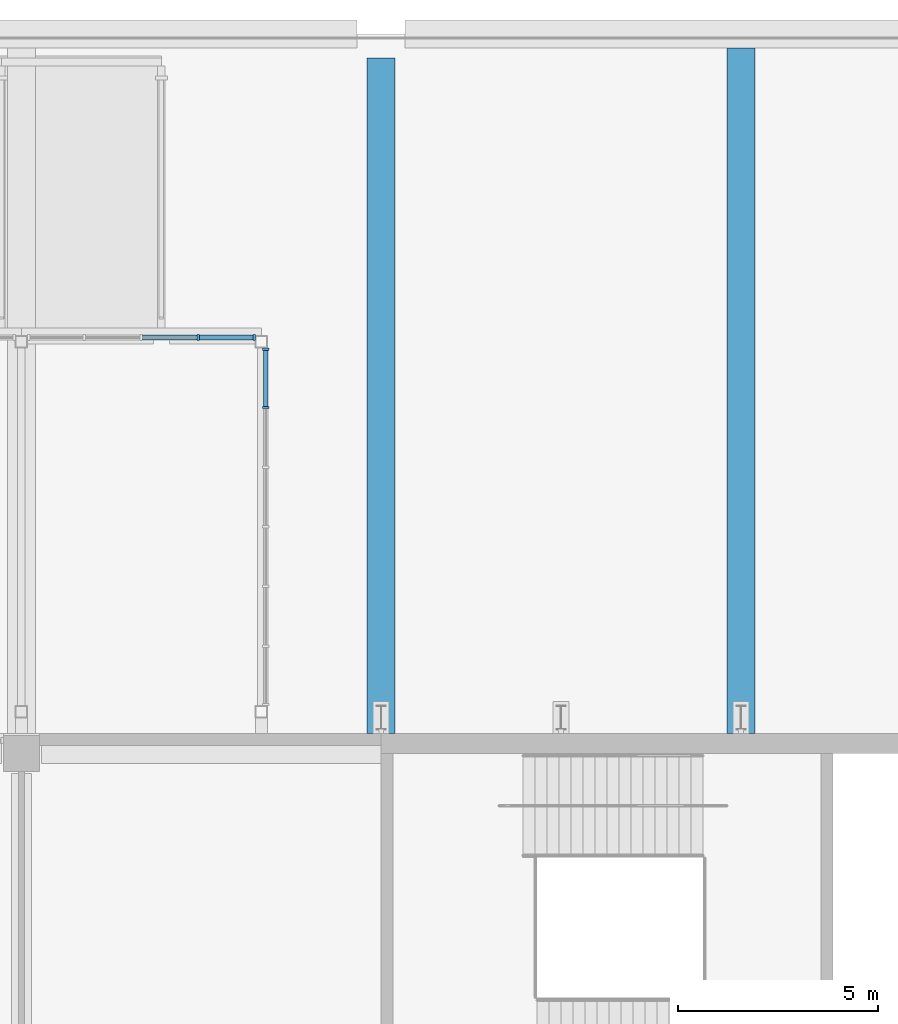
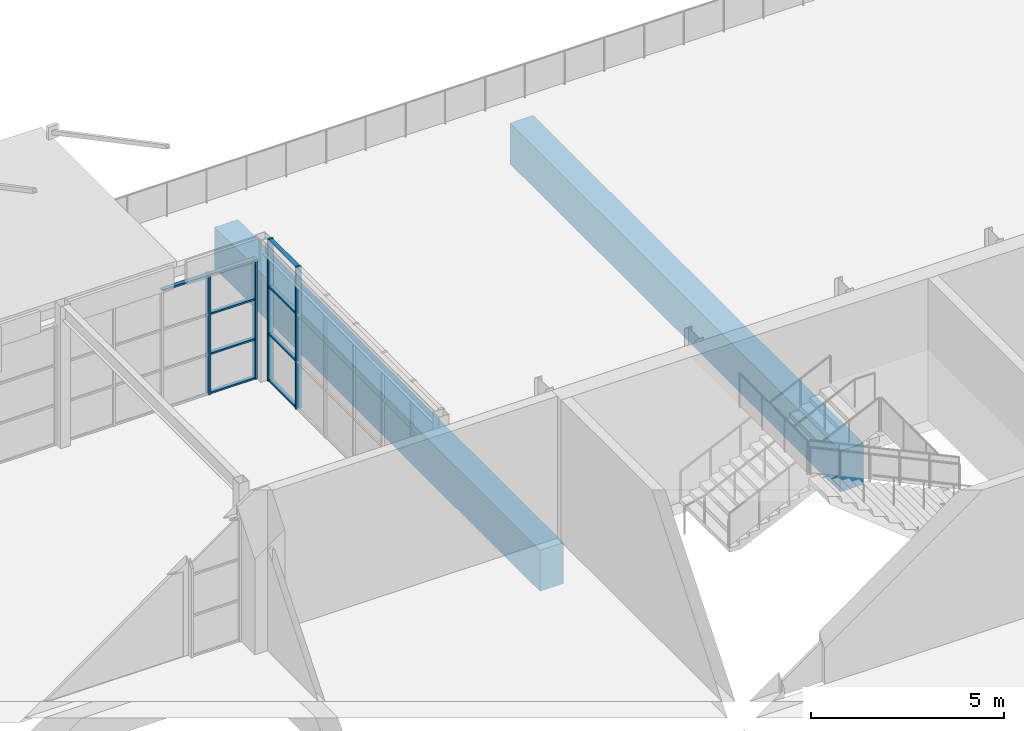
# One storey, part 62 of 168: 13 members, 2 beams, 2 elements without a shape of their own.
"""IFC4 building model written with IfcOpenShell, lengths in metres."""

import ifcopenshell
import ifcopenshell.guid

model = None  # the IFC model being written
_history = None  # IfcOwnerHistory: only IFC2X3 demands one
_inside = {}  # id of a spatial element -> (the spatial element, [elements in it])
_under = {}  # id of a project, library or spatial element -> (it, [spatial elements below it])
_declared = {}  # id of a project -> (the project, [libraries it declares])
_typed = {}  # id of a type object -> (the type object, [elements of that type])
_made_of = {}  # id of a material, layer set ... -> (it, [elements and type objects made of it])


def new_model(schema):
    """Start an empty IFC model of exactly this schema.

    Asked for "IFC4X3", IfcOpenShell would pick the latest addendum, in which some entities
    have other attributes; the version numbers below select the first issue.
    IFC2X3 requires an IfcOwnerHistory on every rooted entity: one is made here for all.
    """
    global model, _history
    if schema == "IFC4X3":
        model = ifcopenshell.file(schema_version=(4, 3, 0, 0))
    else:
        model = ifcopenshell.file(schema=schema)
    _inside.clear()
    _under.clear()
    _declared.clear()
    _typed.clear()
    _made_of.clear()
    _history = None
    if model.schema == "IFC2X3":
        org = make("IfcOrganization", Name="unknown")
        user = make(
            "IfcPersonAndOrganization",
            ThePerson=make("IfcPerson", FamilyName="unknown"),
            TheOrganization=org,
        )
        app = make(
            "IfcApplication",
            ApplicationDeveloper=org,
            Version="unknown",
            ApplicationFullName="unknown",
            ApplicationIdentifier="unknown",
        )
        _history = make(
            "IfcOwnerHistory",
            OwningUser=user,
            OwningApplication=app,
            ChangeAction="ADDED",
            CreationDate=0,
        )
    return model


def make(cls, **values):
    """One entity of the class cls with the attributes given. An attribute that is None is left unset."""
    return model.create_entity(
        cls, **{name: value for name, value in values.items() if value is not None}
    )


def rooted(cls, **values):
    """An entity with a GlobalId (a new one), such as an element, a storey or a relation."""
    return make(cls, GlobalId=ifcopenshell.guid.new(), OwnerHistory=_history, **values)


def si_unit(unit_type, name, prefix=None):
    """IfcSIUnit, for example si_unit("LENGTHUNIT", "METRE", prefix="MILLI")."""
    return make("IfcSIUnit", UnitType=unit_type, Prefix=prefix, Name=name)


def assignment(units):
    """IfcUnitAssignment: the units of a project."""
    return None if units is None else make("IfcUnitAssignment", Units=units)


def point(xyz):
    """IfcCartesianPoint."""
    return None if xyz is None else make("IfcCartesianPoint", Coordinates=xyz)


def direction(xyz):
    """IfcDirection."""
    return None if xyz is None else make("IfcDirection", DirectionRatios=xyz)


def frame(location, z_axis=None, x_axis=None):
    """IfcAxis2Placement3D, a coordinate frame: its origin and axes. An axis left out is left unset."""
    return make(
        "IfcAxis2Placement3D",
        Location=point(location),
        Axis=direction(z_axis),
        RefDirection=direction(x_axis),
    )


def frame_2d(location, x_axis=None):
    """IfcAxis2Placement2D, a coordinate frame in the plane: its origin and x axis."""
    return make(
        "IfcAxis2Placement2D", Location=point(location), RefDirection=direction(x_axis)
    )


def origin():
    """The frame at (0, 0, 0) with its axes left unset."""
    return frame((0.0, 0.0, 0.0))


def origin_2d():
    """The frame at (0, 0) in the plane with its x axis left unset."""
    return frame_2d((0.0, 0.0))


def place(relative_to, where):
    """IfcLocalPlacement: puts the frame where relative to a parent placement (None: the world)."""
    return make(
        "IfcLocalPlacement", PlacementRelTo=relative_to, RelativePlacement=where
    )


def context(
    kind, dimensions, precision=None, world=None, true_north=None, identifier=None
):
    """IfcGeometricRepresentationContext, for example the 3D "Model" context."""
    return make(
        "IfcGeometricRepresentationContext",
        ContextIdentifier=identifier,
        ContextType=kind,
        CoordinateSpaceDimension=dimensions,
        Precision=precision,
        WorldCoordinateSystem=world,
        TrueNorth=true_north,
    )


def subcontext(parent, identifier, kind, view, scale=None):
    """IfcGeometricRepresentationSubContext, for example "Body" below "Model"."""
    return make(
        "IfcGeometricRepresentationSubContext",
        ContextIdentifier=identifier,
        ContextType=kind,
        ParentContext=parent,
        TargetScale=scale,
        TargetView=view,
    )


def project(units=None, contexts=None):
    """IfcProject with its units and contexts."""
    return rooted(
        "IfcProject",
        Name="project",
        RepresentationContexts=contexts,
        UnitsInContext=assignment(units),
    )


def spatial(cls, under=None, at=None, **own):
    """A site, building, storey or space (cls), placed at a placement, below another one or the project."""
    s = rooted(cls, ObjectPlacement=at, **own)
    if under is not None:
        _under.setdefault(under.id(), (under, []))[1].append(s)
    return s


def profile(cls, at=None, kind="AREA", **sizes):
    """A parametric profile (cls). Its sizes go by their IFC names, for example OverallWidth=200.0."""
    return make(cls, ProfileType=kind, Position=at, **sizes)


def rectangle(**sizes):
    """IfcRectangleProfileDef."""
    return profile("IfcRectangleProfileDef", **sizes)


def extrude(swept, where, along, depth):
    """IfcExtrudedAreaSolid: the profile swept, set in the frame where, extruded along a direction by depth."""
    return make(
        "IfcExtrudedAreaSolid",
        SweptArea=swept,
        Position=where,
        ExtrudedDirection=direction(along),
        Depth=depth,
    )


def shape(context_of_items, identifier, shape_type, items):
    """IfcShapeRepresentation: the items that make up one representation, for example the "Body"."""
    return make(
        "IfcShapeRepresentation",
        ContextOfItems=context_of_items,
        RepresentationIdentifier=identifier,
        RepresentationType=shape_type,
        Items=items,
    )


def material(Name=None, Category=None):
    """IfcMaterial."""
    return make("IfcMaterial", Name=Name, Category=Category)


def material_profile(
    of_material, cross_section, Name=None, Category=None, Priority=None
):
    """IfcMaterialProfile: a cross section and its material."""
    return make(
        "IfcMaterialProfile",
        Name=Name,
        Material=of_material,
        Profile=cross_section,
        Priority=Priority,
        Category=Category,
    )


def profile_set(profiles, Name=None, composite=None):
    """IfcMaterialProfileSet."""
    return make(
        "IfcMaterialProfileSet",
        Name=Name,
        MaterialProfiles=profiles,
        CompositeProfile=composite,
    )


def made_of(thing, what):
    """Note that an element or type object is made of a material, layer set ...; save() writes the relation."""
    if what is not None:
        _made_of.setdefault(what.id(), (what, []))[1].append(thing)
    return thing


def type_object(cls, material=None, **own):
    """A type object (cls), such as IfcWallType, which elements share."""
    return made_of(rooted(cls, **own), material)


def element(
    cls,
    number,
    at=None,
    inside=None,
    cuts=None,
    type_object=None,
    material=None,
    context=None,
    identifier="Body",
    shape_type=None,
    held_by="IfcProductDefinitionShape",
    body=None,
    shapes=None,
    **own,
):
    """One element of the class cls, such as IfcWall. Its Tag is "e" and its number.

    at: its placement. inside: the storey or other place that contains it. cuts: it is an
    opening in that element (IfcRelVoidsElement). A single representation is given by context,
    identifier, shape_type and body (its items); several are given by shapes. held_by: the class
    of the entity that holds the representations. save() writes the other relations.
    """
    e = rooted(cls, Tag="e%d" % number, ObjectPlacement=at, **own)
    if body is not None:
        shapes = [shape(context, identifier, shape_type, body)]
    if shapes is not None:
        e.Representation = make(held_by, Representations=shapes)
    if inside is not None:
        _inside.setdefault(inside.id(), (inside, []))[1].append(e)
    if cuts is not None:
        rooted(
            "IfcRelVoidsElement", RelatingBuildingElement=cuts, RelatedOpeningElement=e
        )
    if type_object is not None:
        _typed.setdefault(type_object.id(), (type_object, []))[1].append(e)
    return made_of(e, material)


def aggregate(whole, parts):
    """IfcRelAggregates: a whole, such as a stair, and the parts it consists of."""
    return rooted("IfcRelAggregates", RelatingObject=whole, RelatedObjects=parts)


def save(model, path):
    """Write the relations noted so far, then the file.

    IfcRelAggregates (storeys below a building ...), IfcRelContainedInSpatialStructure (elements
    in a storey), IfcRelDefinesByType, IfcRelAssociatesMaterial and IfcRelDeclares: one each for
    every whole, place, type object, material and project.
    """
    for whole, parts in _under.values():
        aggregate(whole, parts)
    for where, things in _inside.values():
        rooted(
            "IfcRelContainedInSpatialStructure",
            RelatedElements=things,
            RelatingStructure=where,
        )
    for kind, things in _typed.values():
        rooted("IfcRelDefinesByType", RelatedObjects=things, RelatingType=kind)
    for what, things in _made_of.values():
        rooted("IfcRelAssociatesMaterial", RelatedObjects=things, RelatingMaterial=what)
    for by, libraries in _declared.values():
        rooted("IfcRelDeclares", RelatingContext=by, RelatedDefinitions=libraries)
    model.write(path)


model = new_model("IFC4")

# Units and contexts
model_context = context("Model", 3, precision=1e-05, world=origin(), true_north=direction((0.0, 1.0)))
body_context = subcontext(model_context, "Body", "Model", "MODEL_VIEW")
ifc_project = project(units=[si_unit("LENGTHUNIT", "METRE"), si_unit("AREAUNIT", "SQUARE_METRE"), si_unit("VOLUMEUNIT", "CUBIC_METRE"), si_unit("PLANEANGLEUNIT", "RADIAN"), si_unit("MASSUNIT", "GRAM", prefix="KILO")], contexts=[model_context])

# Site, building, storey
site_placement = place(None, origin())
site = spatial("IfcSite", under=ifc_project, at=site_placement, CompositionType="ELEMENT")
building_placement = place(site_placement, origin())
building = spatial("IfcBuilding", under=site, at=building_placement, Name="Silverbay Arena", CompositionType="ELEMENT")
storey_placement = place(building_placement, frame((0.0, 0.0, 7.0)))
storey = spatial("IfcBuildingStorey", under=building, at=storey_placement, Name="L01", CompositionType="ELEMENT", Elevation=7.0)

# Curtain wall, members
ifc_material_1 = material(Name="Aluminium framed curtain wall", Category="aluminium")
curtain_wall_type_1 = type_object("IfcCurtainWallType", Name="Curtain wall 5700 x 3800", PredefinedType="NOTDEFINED", material=ifc_material_1)
curtain_wall_1_placement = place(storey_placement, origin())
curtain_wall_1 = element("IfcCurtainWall", 1, at=curtain_wall_1_placement, inside=storey, type_object=curtain_wall_type_1, Name="North entrance hall N1 glazing F2", PredefinedType="NOTDEFINED")
ifc_material_2 = material(Name="Aluminium", Category="aluminium")
ifc_material_profile_1 = material_profile(ifc_material_2, rectangle(XDim=0.159912109375, YDim=0.06005859375, at=origin_2d()), Name="Mullion 60 x 160")
ifc_profile_set_1 = profile_set([ifc_material_profile_1], Name="Aluminium")
member_type_1 = type_object("IfcMemberType", Name="Mullion 60 x 160", PredefinedType="MULLION", material=ifc_profile_set_1)
member_1_placement = place(storey_placement, frame((139.425048828125, 154.409912109375, 0.0), z_axis=(0.0, 0.0, 1.0), x_axis=(0.0, 1.0, 0.0)))
member_1 = element("IfcMember", 2, at=member_1_placement, type_object=member_type_1, Name="CW42 mullion 4", PredefinedType="MULLION", context=body_context, shape_type="SweptSolid", body=[
    extrude(rectangle(XDim=0.159912109375, YDim=0.06005859375, at=origin_2d()), origin(), (0.0, 0.0, 1.0), 3.800048828125),
])
member_2_placement = place(storey_placement, frame((140.820068359375, 154.409912109375, 0.0), z_axis=(0.0, 0.0, 1.0), x_axis=(0.0, 1.0, 0.0)))
member_2 = element("IfcMember", 3, at=member_2_placement, type_object=member_type_1, Name="CW42 mullion 5", PredefinedType="MULLION", context=body_context, shape_type="SweptSolid", body=[
    extrude(rectangle(XDim=0.159912109375, YDim=0.06005859375, at=origin_2d()), origin(), (0.0, 0.0, 1.0), 3.800048828125),
])

ifc_material_3 = material(Name="Aluminium framed curtain wall", Category="aluminium")
curtain_wall_type_2 = type_object("IfcCurtainWallType", Name="Curtain wall 8950 x 4500", PredefinedType="NOTDEFINED", material=ifc_material_3)
curtain_wall_2_placement = place(storey_placement, origin())
curtain_wall_2 = element("IfcCurtainWall", 4, at=curtain_wall_2_placement, inside=storey, type_object=curtain_wall_type_2, Name="North entrance hall N1 glazing SB", PredefinedType="NOTDEFINED")
member_3_placement = place(storey_placement, frame((141.110107421875, 154.1201171875, 0.0), z_axis=(0.0, 0.0, 1.0), x_axis=(1.0, 0.0, 0.0)))
member_3 = element("IfcMember", 5, at=member_3_placement, type_object=member_type_1, Name="CW46 mullion 1", PredefinedType="MULLION", context=body_context, shape_type="SweptSolid", body=[
    extrude(rectangle(XDim=0.159912109375, YDim=0.06005859375, at=origin_2d()), origin(), (0.0, 0.0, 1.0), 4.5),
])
member_4_placement = place(storey_placement, frame((141.110107421875, 152.658447265625, 0.0), z_axis=(0.0, 0.0, 1.0), x_axis=(1.0, 0.0, 0.0)))
member_4 = element("IfcMember", 6, at=member_4_placement, type_object=member_type_1, Name="CW46 mullion 2", PredefinedType="MULLION", context=body_context, shape_type="SweptSolid", body=[
    extrude(rectangle(XDim=0.159912109375, YDim=0.06005859375, at=origin_2d()), origin(), (0.0, 0.0, 1.0), 4.5),
])

# Beams
ifc_material_4 = material(Name="Concrete Grade C45", Category="concrete")
ifc_material_profile_2 = material_profile(ifc_material_4, rectangle(XDim=0.699951171875, YDim=1.300048828125, at=origin_2d()), Name="RC 700x1300")
ifc_profile_set_2 = profile_set([ifc_material_profile_2], Name="Concrete Grade C45")
beam_type = type_object("IfcBeamType", Name="RC girder 700x1300", PredefinedType="BEAM", material=ifc_profile_set_2)
beam_1_placement = place(storey_placement, frame((144.0, 144.5, -1.10009765625), z_axis=(0.0, 1.0, 0.0), x_axis=(-1.0, 0.0, 0.0)))
element("IfcBeam", 7, at=beam_1_placement, inside=storey, type_object=beam_type, Name="Deck secondary beam 124", PredefinedType="BEAM", context=body_context, shape_type="SweptSolid", body=[
    extrude(rectangle(XDim=0.699951171875, YDim=1.300048828125, at=origin_2d()), origin(), (0.0, 0.0, 1.0), 16.89990234375),
])
beam_2_placement = place(storey_placement, frame((153.0, 144.5, -1.10009765625), z_axis=(0.0, 1.0, 0.0), x_axis=(-1.0, 0.0, 0.0)))
element("IfcBeam", 8, at=beam_2_placement, inside=storey, type_object=beam_type, Name="Deck secondary beam 126", PredefinedType="BEAM", context=body_context, shape_type="SweptSolid", body=[
    extrude(rectangle(XDim=0.699951171875, YDim=1.300048828125, at=origin_2d()), origin(), (0.0, 0.0, 1.0), 17.14990234375),
])

# Member
ifc_material_5 = material(Name="Aluminium", Category="aluminium")
ifc_material_profile_3 = material_profile(ifc_material_5, rectangle(XDim=0.1201171875, YDim=0.050048828125, at=origin_2d()), Name="Transom 50 x 120")
ifc_profile_set_3 = profile_set([ifc_material_profile_3], Name="Aluminium")
member_type_2 = type_object("IfcMemberType", Name="Transom 50 x 120", PredefinedType="USERDEFINED", material=ifc_profile_set_3)
member_5_placement = place(storey_placement, frame((138.030029296875, 154.409912109375, 3.77490234375), z_axis=(1.0, 0.0, 0.0), x_axis=(0.0, 1.0, 0.0)))
member_5 = element("IfcMember", 9, at=member_5_placement, type_object=member_type_2, Name="CW42 transom 3.4", ObjectType="TRANSOM", PredefinedType="USERDEFINED", context=body_context, shape_type="SweptSolid", body=[
    extrude(rectangle(XDim=0.1201171875, YDim=0.050048828125, at=origin_2d()), origin(), (0.0, 0.0, 1.0), 1.364990234375),
])

member_6_placement = place(storey_placement, frame((139.455078125, 154.409912109375, 0.02490234375), z_axis=(1.0, 0.0, 0.0), x_axis=(0.0, 1.0, 0.0)))
member_6 = element("IfcMember", 10, at=member_6_placement, type_object=member_type_2, Name="CW42 transom 4.1", ObjectType="TRANSOM", PredefinedType="USERDEFINED", context=body_context, shape_type="SweptSolid", body=[
    extrude(rectangle(XDim=0.1201171875, YDim=0.050048828125, at=origin_2d()), origin(), (0.0, 0.0, 1.0), 1.3349609375),
])

member_7_placement = place(storey_placement, frame((139.455078125, 154.409912109375, 1.2666015625), z_axis=(1.0, 0.0, 0.0), x_axis=(0.0, 1.0, 0.0)))
member_7 = element("IfcMember", 11, at=member_7_placement, type_object=member_type_2, Name="CW42 transom 4.2", ObjectType="TRANSOM", PredefinedType="USERDEFINED", context=body_context, shape_type="SweptSolid", body=[
    extrude(rectangle(XDim=0.1201171875, YDim=0.050048828125, at=origin_2d()), origin(), (0.0, 0.0, 1.0), 1.3349609375),
])

member_8_placement = place(storey_placement, frame((139.455078125, 154.409912109375, 2.533447265625), z_axis=(1.0, 0.0, 0.0), x_axis=(0.0, 1.0, 0.0)))
member_8 = element("IfcMember", 12, at=member_8_placement, type_object=member_type_2, Name="CW42 transom 4.3", ObjectType="TRANSOM", PredefinedType="USERDEFINED", context=body_context, shape_type="SweptSolid", body=[
    extrude(rectangle(XDim=0.1201171875, YDim=0.050048828125, at=origin_2d()), origin(), (0.0, 0.0, 1.0), 1.3349609375),
])

member_9_placement = place(storey_placement, frame((139.455078125, 154.409912109375, 3.77490234375), z_axis=(1.0, 0.0, 0.0), x_axis=(0.0, 1.0, 0.0)))
member_9 = element("IfcMember", 13, at=member_9_placement, type_object=member_type_2, Name="CW42 transom 4.4", ObjectType="TRANSOM", PredefinedType="USERDEFINED", context=body_context, shape_type="SweptSolid", body=[
    extrude(rectangle(XDim=0.1201171875, YDim=0.050048828125, at=origin_2d()), origin(), (0.0, 0.0, 1.0), 1.3349609375),
])

aggregate(curtain_wall_1, [member_1, member_2, member_5, member_6, member_7, member_8, member_9])

member_10_placement = place(storey_placement, frame((141.110107421875, 154.090087890625, 0.02490234375), z_axis=(0.0, -1.0, 0.0), x_axis=(1.0, 0.0, 0.0)))
member_10 = element("IfcMember", 14, at=member_10_placement, type_object=member_type_2, Name="CW46 transom 1.1", ObjectType="TRANSOM", PredefinedType="USERDEFINED", context=body_context, shape_type="SweptSolid", body=[
    extrude(rectangle(XDim=0.1201171875, YDim=0.050048828125, at=origin_2d()), origin(), (0.0, 0.0, 1.0), 1.40185546875),
])

member_11_placement = place(storey_placement, frame((141.110107421875, 154.090087890625, 1.5), z_axis=(0.0, -1.0, 0.0), x_axis=(1.0, 0.0, 0.0)))
member_11 = element("IfcMember", 15, at=member_11_placement, type_object=member_type_2, Name="CW46 transom 1.2", ObjectType="TRANSOM", PredefinedType="USERDEFINED", context=body_context, shape_type="SweptSolid", body=[
    extrude(rectangle(XDim=0.1201171875, YDim=0.050048828125, at=origin_2d()), origin(), (0.0, 0.0, 1.0), 1.40185546875),
])

member_12_placement = place(storey_placement, frame((141.110107421875, 154.090087890625, 3.0), z_axis=(0.0, -1.0, 0.0), x_axis=(1.0, 0.0, 0.0)))
member_12 = element("IfcMember", 16, at=member_12_placement, type_object=member_type_2, Name="CW46 transom 1.3", ObjectType="TRANSOM", PredefinedType="USERDEFINED", context=body_context, shape_type="SweptSolid", body=[
    extrude(rectangle(XDim=0.1201171875, YDim=0.050048828125, at=origin_2d()), origin(), (0.0, 0.0, 1.0), 1.40185546875),
])

member_13_placement = place(storey_placement, frame((141.110107421875, 154.090087890625, 4.47509765625), z_axis=(0.0, -1.0, 0.0), x_axis=(1.0, 0.0, 0.0)))
member_13 = element("IfcMember", 17, at=member_13_placement, type_object=member_type_2, Name="CW46 transom 1.4", ObjectType="TRANSOM", PredefinedType="USERDEFINED", context=body_context, shape_type="SweptSolid", body=[
    extrude(rectangle(XDim=0.1201171875, YDim=0.050048828125, at=origin_2d()), origin(), (0.0, 0.0, 1.0), 1.40185546875),
])

aggregate(curtain_wall_2, [member_3, member_4, member_10, member_11, member_12, member_13])

save(model, "model.ifc")
